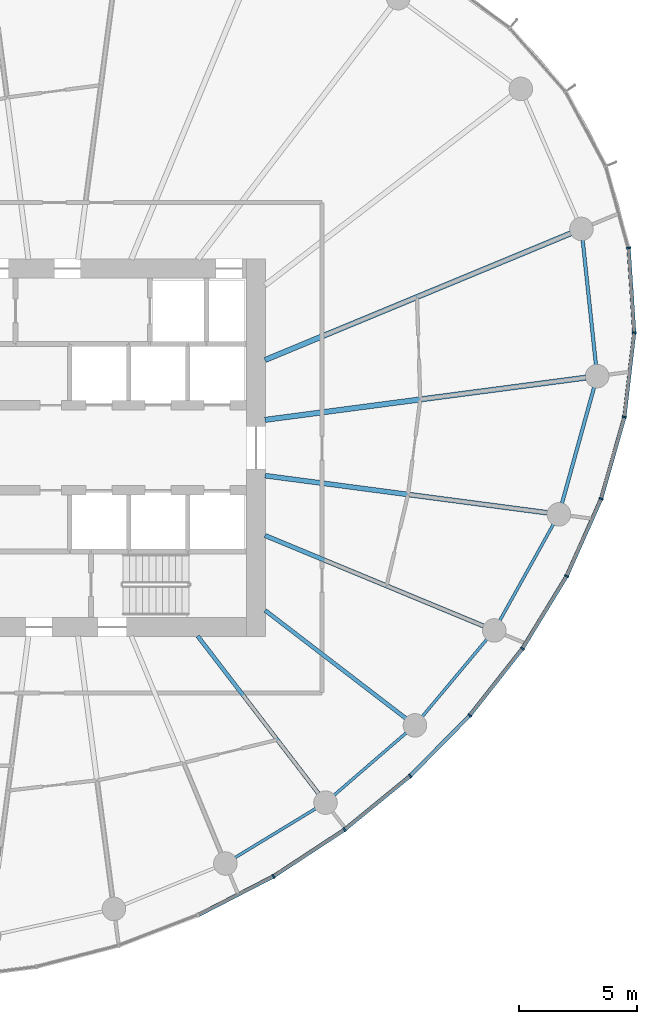
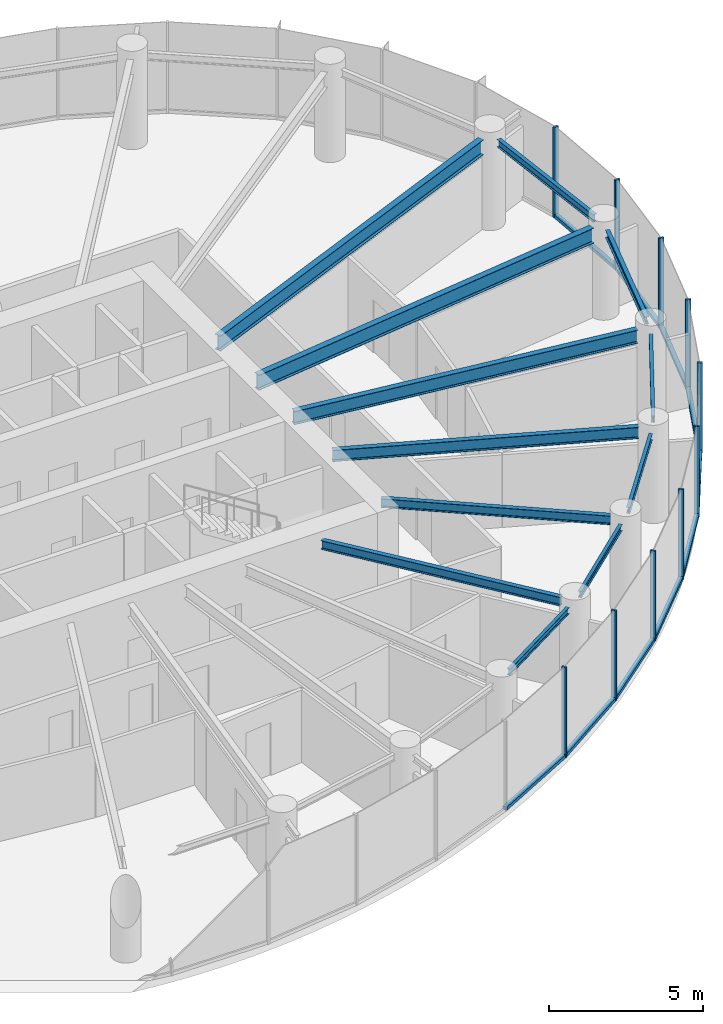
# One storey, part 4 of 14: 20 members, 12 beams, 3 elements without a shape of their own.
"""IFC4 building model written with IfcOpenShell, lengths in metres."""

from ifc_helpers import new_model, si_unit, direction, frame, origin, origin_2d, place, context, subcontext, project, spatial, rectangle, i_section, extrude, source, transform, mapped, material, layer, layer_set, material_profile, profile_set, type_object, element, aggregate, save


model = new_model("IFC4")

# Units and contexts
model_context = context("Model", 3, precision=1e-05, world=origin(), true_north=direction((0.0, 1.0)))
body_context = subcontext(model_context, "Body", "Model", "MODEL_VIEW")
ifc_project = project(units=[si_unit("LENGTHUNIT", "METRE"), si_unit("AREAUNIT", "SQUARE_METRE"), si_unit("VOLUMEUNIT", "CUBIC_METRE"), si_unit("PLANEANGLEUNIT", "RADIAN"), si_unit("MASSUNIT", "GRAM", prefix="KILO")], contexts=[model_context])

# Site, building, storey
site_placement = place(None, origin())
site = spatial("IfcSite", under=ifc_project, at=site_placement, CompositionType="ELEMENT")
building_placement = place(site_placement, origin())
building = spatial("IfcBuilding", under=site, at=building_placement, Name="Spindrift Exchange Tower", CompositionType="ELEMENT")
storey_placement = place(building_placement, frame((0.0, 0.0, 152.60009765625)))
storey = spatial("IfcBuildingStorey", under=building, at=storey_placement, Name="L36", CompositionType="ELEMENT", Elevation=152.60009765625)

# Beams
ifc_material_1 = material(Name="Steel Grade 300", Category="steel")
ifc_material_profile_1 = material_profile(ifc_material_1, i_section(OverallWidth=0.14892578125, OverallDepth=0.298095703125, WebThickness=0.005615234375, FlangeThickness=0.008056640625, FilletRadius=0.012939453125, at=origin_2d()), Name="310UB32.0")
ifc_profile_set_1 = profile_set([ifc_material_profile_1], Name="Steel Grade 300")
beam_type_1 = type_object("IfcBeamType", Name="Edge Beam 310UB32.0 Steel Grade 300", PredefinedType="SPANDREL", material=ifc_profile_set_1)
shared_shape_1 = source(origin(), body_context, "Body", "SweptSolid", [
    extrude(i_section(OverallWidth=0.14892578125, OverallDepth=0.298095703125, WebThickness=0.005615234375, FlangeThickness=0.008056640625, FilletRadius=0.012939453125, at=origin_2d()), origin(), (0.0, 0.0, 1.0), 5.31640625),
])
beam_1_placement = place(storey_placement, frame((75.010986328125, 51.513427734375, 3.430908203125), z_axis=(-0.10598990948, 0.994367205357, 0.0), x_axis=(-0.994367205357, -0.10598990948, 0.0)))
element("IfcBeam", 1, at=beam_1_placement, inside=storey, type_object=beam_type_1, Name="L36 edge beam E01", PredefinedType="SPANDREL", context=body_context, shape_type="MappedRepresentation", body=[
    mapped(shared_shape_1, transform((0.0, 0.0, 0.0), scale=1.0)),
])
ifc_material_profile_2 = material_profile(ifc_material_1, i_section(OverallWidth=0.1240234375, OverallDepth=0.248046875, WebThickness=0.0048828125, FlangeThickness=0.008056640625, FilletRadius=0.011962890625, at=origin_2d()), Name="250UB25.7")
ifc_profile_set_2 = profile_set([ifc_material_profile_2], Name="Steel Grade 300")
beam_type_2 = type_object("IfcBeamType", Name="Edge Beam 250UB25.7 Steel Grade 300", PredefinedType="SPANDREL", material=ifc_profile_set_2)
shared_shape_2 = source(origin(), body_context, "Body", "SweptSolid", [
    extrude(i_section(OverallWidth=0.1240234375, OverallDepth=0.248046875, WebThickness=0.0048828125, FlangeThickness=0.008056640625, FilletRadius=0.011962890625, at=origin_2d()), origin(), (0.0, 0.0, 1.0), 4.00634765625),
])
beam_2_placement = place(storey_placement, frame((59.7109375, 30.623779296875, 3.455810546875), z_axis=(0.854331495603, 0.519728482596, 0.0), x_axis=(-0.519728482596, 0.854331495603, 0.0)))
element("IfcBeam", 2, at=beam_2_placement, inside=storey, type_object=beam_type_2, Name="L36 edge beam E20", PredefinedType="SPANDREL", context=body_context, shape_type="MappedRepresentation", body=[
    mapped(shared_shape_2, transform((0.0, 0.0, 0.0), scale=1.0)),
])
shared_shape_3 = source(origin(), body_context, "Body", "SweptSolid", [
    extrude(i_section(OverallWidth=0.1240234375, OverallDepth=0.248046875, WebThickness=0.0048828125, FlangeThickness=0.008056640625, FilletRadius=0.011962890625, at=origin_2d()), origin(), (0.0, 0.0, 1.0), 4.052001953125),
])
beam_3_placement = place(storey_placement, frame((63.906982421875, 33.269287109375, 3.455810546875), z_axis=(0.756715968535, 0.65374379, 0.0), x_axis=(-0.65374379, 0.756715968535, 0.0)))
element("IfcBeam", 3, at=beam_3_placement, inside=storey, type_object=beam_type_2, Name="L36 edge beam E21", PredefinedType="SPANDREL", context=body_context, shape_type="MappedRepresentation", body=[
    mapped(shared_shape_3, transform((0.0, 0.0, 0.0), scale=1.0)),
])
shared_shape_4 = source(origin(), body_context, "Body", "SweptSolid", [
    extrude(i_section(OverallWidth=0.1240234375, OverallDepth=0.248046875, WebThickness=0.0048828125, FlangeThickness=0.008056640625, FilletRadius=0.011962890625, at=origin_2d()), origin(), (0.0, 0.0, 1.0), 4.282958984375),
])
beam_4_placement = place(storey_placement, frame((67.644287109375, 36.600341796875, 3.455810546875), z_axis=(0.641400288548, 0.767206406289, 0.0), x_axis=(-0.767206406289, 0.641400288548, 0.0)))
element("IfcBeam", 4, at=beam_4_placement, inside=storey, type_object=beam_type_2, Name="L36 edge beam E22", PredefinedType="SPANDREL", context=body_context, shape_type="MappedRepresentation", body=[
    mapped(shared_shape_4, transform((0.0, 0.0, 0.0), scale=1.0)),
])
shared_shape_5 = source(origin(), body_context, "Body", "SweptSolid", [
    extrude(i_section(OverallWidth=0.1240234375, OverallDepth=0.248046875, WebThickness=0.0048828125, FlangeThickness=0.008056640625, FilletRadius=0.011962890625, at=origin_2d()), origin(), (0.0, 0.0, 1.0), 4.6748046875),
])
beam_5_placement = place(storey_placement, frame((70.932861328125, 40.673828125, 3.455810546875), z_axis=(0.486587145143, 0.873632045075, 0.0), x_axis=(-0.873632045075, 0.486587145143, 0.0)))
element("IfcBeam", 5, at=beam_5_placement, inside=storey, type_object=beam_type_2, Name="L36 edge beam E23", PredefinedType="SPANDREL", context=body_context, shape_type="MappedRepresentation", body=[
    mapped(shared_shape_5, transform((0.0, 0.0, 0.0), scale=1.0)),
])
shared_shape_6 = source(origin(), body_context, "Body", "SweptSolid", [
    extrude(i_section(OverallWidth=0.14892578125, OverallDepth=0.298095703125, WebThickness=0.005615234375, FlangeThickness=0.008056640625, FilletRadius=0.012939453125, at=origin_2d()), origin(), (0.0, 0.0, 1.0), 5.118896484375),
])
beam_6_placement = place(storey_placement, frame((73.569091796875, 45.639892578125, 3.430908203125), z_axis=(0.266654866605, 0.963792084485, 0.0), x_axis=(-0.963792084485, 0.266654866605, 0.0)))
element("IfcBeam", 6, at=beam_6_placement, inside=storey, type_object=beam_type_1, Name="L36 edge beam E24", PredefinedType="SPANDREL", context=body_context, shape_type="MappedRepresentation", body=[
    mapped(shared_shape_6, transform((0.0, 0.0, 0.0), scale=1.0)),
])
ifc_material_profile_3 = material_profile(ifc_material_1, i_section(OverallWidth=0.22802734375, OverallDepth=0.60205078125, WebThickness=0.010498046875, FlangeThickness=0.014892578125, FilletRadius=0.013916015625, at=origin_2d()), Name="610UB101")
ifc_profile_set_3 = profile_set([ifc_material_profile_3], Name="Steel Grade 300")
beam_type_3 = type_object("IfcBeamType", Name="Floor Beam 610UB101 Steel Grade 300", PredefinedType="BEAM", material=ifc_profile_set_3)
shared_shape_7 = source(origin(), body_context, "Body", "SweptSolid", [
    extrude(i_section(OverallWidth=0.22802734375, OverallDepth=0.60205078125, WebThickness=0.010498046875, FlangeThickness=0.014892578125, FilletRadius=0.013916015625, at=origin_2d()), origin(), (0.0, 0.0, 1.0), 13.723388671875),
])
beam_7_placement = place(storey_placement, frame((60.980224609375, 49.182373046875, 3.27880859375), z_axis=(0.991447148915, 0.13050881544, 0.0), x_axis=(-0.13050881544, 0.991447148915, 0.0)))
element("IfcBeam", 7, at=beam_7_placement, inside=storey, type_object=beam_type_3, Name="L36 radial beam R01A", PredefinedType="BEAM", context=body_context, shape_type="MappedRepresentation", body=[
    mapped(shared_shape_7, transform((0.0, 0.0, 0.0), scale=1.0)),
])
shared_shape_8 = source(origin(), body_context, "Body", "SweptSolid", [
    extrude(i_section(OverallWidth=0.22802734375, OverallDepth=0.60205078125, WebThickness=0.010498046875, FlangeThickness=0.014892578125, FilletRadius=0.013916015625, at=origin_2d()), origin(), (0.0, 0.0, 1.0), 14.04052734375),
])
beam_8_placement = place(storey_placement, frame((60.9814453125, 51.72021484375, 3.27880859375), z_axis=(0.923879501748, 0.382683506634, 0.0), x_axis=(-0.382683506634, 0.923879501748, 0.0)))
element("IfcBeam", 8, at=beam_8_placement, inside=storey, type_object=beam_type_3, Name="L36 radial beam R02A", PredefinedType="BEAM", context=body_context, shape_type="MappedRepresentation", body=[
    mapped(shared_shape_8, transform((0.0, 0.0, 0.0), scale=1.0)),
])
ifc_material_profile_4 = material_profile(ifc_material_1, i_section(OverallWidth=0.1708984375, OverallDepth=0.35205078125, WebThickness=0.0068359375, FlangeThickness=0.009765625, FilletRadius=0.013916015625, at=origin_2d()), Name="360UB44.7")
ifc_profile_set_4 = profile_set([ifc_material_profile_4], Name="Steel Grade 300")
beam_type_4 = type_object("IfcBeamType", Name="Floor Beam 360UB44.7 Steel Grade 300", PredefinedType="BEAM", material=ifc_profile_set_4)
shared_shape_9 = source(origin(), body_context, "Body", "SweptSolid", [
    extrude(i_section(OverallWidth=0.1708984375, OverallDepth=0.35205078125, WebThickness=0.0068359375, FlangeThickness=0.009765625, FilletRadius=0.013916015625, at=origin_2d()), origin(), (0.0, 0.0, 1.0), 8.419189453125),
])
beam_9_placement = place(storey_placement, frame((58.12646484375, 40.015869140625, 3.40380859375), z_axis=(0.608755970582, -0.79335752866, 0.0), x_axis=(0.79335752866, 0.608755970582, 0.0)))
element("IfcBeam", 9, at=beam_9_placement, inside=storey, type_object=beam_type_4, Name="L36 radial beam R21A", PredefinedType="BEAM", context=body_context, shape_type="MappedRepresentation", body=[
    mapped(shared_shape_9, transform((0.0, 0.0, 0.0), scale=1.0)),
])
shared_shape_10 = source(origin(), body_context, "Body", "SweptSolid", [
    extrude(i_section(OverallWidth=0.1708984375, OverallDepth=0.35205078125, WebThickness=0.0068359375, FlangeThickness=0.009765625, FilletRadius=0.013916015625, at=origin_2d()), origin(), (0.0, 0.0, 1.0), 7.52685546875),
])
beam_10_placement = place(storey_placement, frame((60.984130859375, 41.106201171875, 3.40380859375), z_axis=(0.793354136078, -0.608760391918, 0.0), x_axis=(0.608760391918, 0.793354136078, 0.0)))
element("IfcBeam", 10, at=beam_10_placement, inside=storey, type_object=beam_type_4, Name="L36 radial beam R22A", PredefinedType="BEAM", context=body_context, shape_type="MappedRepresentation", body=[
    mapped(shared_shape_10, transform((0.0, 0.0, 0.0), scale=1.0)),
])
ifc_material_profile_5 = material_profile(ifc_material_1, i_section(OverallWidth=0.18994140625, OverallDepth=0.4541015625, WebThickness=0.008544921875, FlangeThickness=0.0126953125, FilletRadius=0.013916015625, at=origin_2d()), Name="460UB67.1")
ifc_profile_set_5 = profile_set([ifc_material_profile_5], Name="Steel Grade 300")
beam_type_5 = type_object("IfcBeamType", Name="Floor Beam 460UB67.1 Steel Grade 300", PredefinedType="BEAM", material=ifc_profile_set_5)
shared_shape_11 = source(origin(), body_context, "Body", "SweptSolid", [
    extrude(i_section(OverallWidth=0.18994140625, OverallDepth=0.4541015625, WebThickness=0.008544921875, FlangeThickness=0.0126953125, FilletRadius=0.013916015625, at=origin_2d()), origin(), (0.0, 0.0, 1.0), 10.03857421875),
])
beam_11_placement = place(storey_placement, frame((60.9814453125, 44.27978515625, 3.352783203125), z_axis=(0.923880777638, -0.382680426349, 0.0), x_axis=(0.382680426349, 0.923880777638, 0.0)))
element("IfcBeam", 11, at=beam_11_placement, inside=storey, type_object=beam_type_5, Name="L36 radial beam R23A", PredefinedType="BEAM", context=body_context, shape_type="MappedRepresentation", body=[
    mapped(shared_shape_11, transform((0.0, 0.0, 0.0), scale=1.0)),
])
ifc_material_profile_6 = material_profile(ifc_material_1, i_section(OverallWidth=0.208984375, OverallDepth=0.528076171875, WebThickness=0.009521484375, FlangeThickness=0.01318359375, FilletRadius=0.013916015625, at=origin_2d()), Name="530UB82.0")
ifc_profile_set_6 = profile_set([ifc_material_profile_6], Name="Steel Grade 300")
beam_type_6 = type_object("IfcBeamType", Name="Floor Beam 530UB82.0 Steel Grade 300", PredefinedType="BEAM", material=ifc_profile_set_6)
shared_shape_12 = source(origin(), body_context, "Body", "SweptSolid", [
    extrude(i_section(OverallWidth=0.208984375, OverallDepth=0.528076171875, WebThickness=0.009521484375, FlangeThickness=0.01318359375, FilletRadius=0.013916015625, at=origin_2d()), origin(), (0.0, 0.0, 1.0), 12.088134765625),
])
beam_12_placement = place(storey_placement, frame((60.980224609375, 46.817626953125, 3.31591796875), z_axis=(0.991447007302, -0.130509891244, 0.0), x_axis=(0.130509891244, 0.991447007302, 0.0)))
element("IfcBeam", 12, at=beam_12_placement, inside=storey, type_object=beam_type_6, Name="L36 radial beam R24A", PredefinedType="BEAM", context=body_context, shape_type="MappedRepresentation", body=[
    mapped(shared_shape_12, transform((0.0, 0.0, 0.0), scale=1.0)),
])

# Curtain wall, members
ifc_material_2 = material(Name="Fritted laminated glass with bronze frame", Category="glass")
ifc_layer = layer(ifc_material_2, 0.179931640625)
ifc_layer_set = layer_set([ifc_layer], Name="ZONE 3 BRONZE FRITTED WALL")
curtain_wall_type = type_object("IfcCurtainWallType", Name="ZONE 3 BRONZE FRITTED WALL", PredefinedType="NOTDEFINED", material=ifc_layer_set)
curtain_wall_1_placement = place(storey_placement, origin())
curtain_wall_1 = element("IfcCurtainWall", 13, at=curtain_wall_1_placement, inside=storey, type_object=curtain_wall_type, Name="L36 Zone 3 Bronze Fritted Wall run 6", PredefinedType="NOTDEFINED")
ifc_material_3 = material(Name="Bronze anodised aluminium", Category="aluminium")
ifc_material_profile_7 = material_profile(ifc_material_3, rectangle(XDim=0.070068359375, YDim=0.179931640625, at=origin_2d()), Name="ZONE 3 BRONZE FRITTED WALL MULLION 70X180")
ifc_profile_set_7 = profile_set([ifc_material_profile_7], Name="Bronze anodised aluminium")
member_type_1 = type_object("IfcMemberType", Name="ZONE 3 BRONZE FRITTED WALL MULLION 70X180", PredefinedType="MULLION", material=ifc_profile_set_7)
shared_shape_13 = source(origin(), body_context, "Body", "SweptSolid", [
    extrude(rectangle(XDim=0.070068359375, YDim=0.179931640625, at=origin_2d()), origin(), (0.0, 0.0, 1.0), 3.579833984375),
])
member_1_placement = place(storey_placement, frame((61.338134765625, 29.831298828125, 0.0), z_axis=(0.0, 0.0, 1.0), x_axis=(0.863679835397, 0.504040813752, 0.0)))
member_1 = element("IfcMember", 14, at=member_1_placement, type_object=member_type_1, Name="L36 mullion CW-3.31", PredefinedType="MULLION", context=body_context, shape_type="MappedRepresentation", body=[
    mapped(shared_shape_13, transform((0.0, 0.0, 0.0), scale=1.0)),
])
member_2_placement = place(storey_placement, frame((64.34814453125, 31.80810546875, 0.0), z_axis=(0.0, 0.0, 1.0), x_axis=(0.805919112959, 0.592025661072, 0.0)))
member_2 = element("IfcMember", 15, at=member_2_placement, type_object=member_type_1, Name="L36 mullion CW-3.32", PredefinedType="MULLION", context=body_context, shape_type="MappedRepresentation", body=[
    mapped(shared_shape_13, transform((0.0, 0.0, 0.0), scale=1.0)),
])
member_3_placement = place(storey_placement, frame((67.13427734375, 34.089111328125, 0.0), z_axis=(0.0, 0.0, 1.0), x_axis=(0.738822560476, 0.673900010485, 0.0)))
member_3 = element("IfcMember", 16, at=member_3_placement, type_object=member_type_1, Name="L36 mullion CW-3.33", PredefinedType="MULLION", context=body_context, shape_type="MappedRepresentation", body=[
    mapped(shared_shape_13, transform((0.0, 0.0, 0.0), scale=1.0)),
])
member_4_placement = place(storey_placement, frame((69.661376953125, 36.654296875, 0.0), z_axis=(0.0, 0.0, 1.0), x_axis=(0.661147114843, 0.750256284569, 0.0)))
member_4 = element("IfcMember", 17, at=member_4_placement, type_object=member_type_1, Name="L36 mullion CW-3.34", PredefinedType="MULLION", context=body_context, shape_type="MappedRepresentation", body=[
    mapped(shared_shape_13, transform((0.0, 0.0, 0.0), scale=1.0)),
])
member_5_placement = place(storey_placement, frame((71.88818359375, 39.483642578125, 0.0), z_axis=(0.0, 0.0, 1.0), x_axis=(0.570900389137, 0.821019333319, 0.0)))
member_5 = element("IfcMember", 18, at=member_5_placement, type_object=member_type_1, Name="L36 mullion CW-3.35", PredefinedType="MULLION", context=body_context, shape_type="MappedRepresentation", body=[
    mapped(shared_shape_13, transform((0.0, 0.0, 0.0), scale=1.0)),
])
member_6_placement = place(storey_placement, frame((73.76513671875, 42.555908203125, 0.0), z_axis=(0.0, 0.0, 1.0), x_axis=(0.465381897719, 0.885109987106, 0.0)))
member_6 = element("IfcMember", 19, at=member_6_placement, type_object=member_type_1, Name="L36 mullion CW-3.36", PredefinedType="MULLION", context=body_context, shape_type="MappedRepresentation", body=[
    mapped(shared_shape_13, transform((0.0, 0.0, 0.0), scale=1.0)),
])

curtain_wall_2_placement = place(storey_placement, origin())
curtain_wall_2 = element("IfcCurtainWall", 20, at=curtain_wall_2_placement, inside=storey, type_object=curtain_wall_type, Name="L36 Zone 3 Bronze Fritted Wall run 7", PredefinedType="NOTDEFINED")
member_7_placement = place(storey_placement, frame((75.23193359375, 45.843505859375, 0.0), z_axis=(0.0, 0.0, 1.0), x_axis=(0.341273617216, 0.939963998349, 0.0)))
member_7 = element("IfcMember", 21, at=member_7_placement, type_object=member_type_1, Name="L36 mullion CW-3.37", PredefinedType="MULLION", context=body_context, shape_type="MappedRepresentation", body=[
    mapped(shared_shape_13, transform((0.0, 0.0, 0.0), scale=1.0)),
])
member_8_placement = place(storey_placement, frame((76.2158203125, 49.305419921875, 0.0), z_axis=(0.0, 0.0, 1.0), x_axis=(0.195110549619, 0.980781256666, 0.0)))
member_8 = element("IfcMember", 22, at=member_8_placement, type_object=member_type_1, Name="L36 mullion CW-3.38", PredefinedType="MULLION", context=body_context, shape_type="MappedRepresentation", body=[
    mapped(shared_shape_13, transform((0.0, 0.0, 0.0), scale=1.0)),
])
member_9_placement = place(storey_placement, frame((76.6318359375, 52.87939453125, 0.0), z_axis=(0.0, 0.0, 1.0), x_axis=(0.024729315489, 0.999694183716, 0.0)))
member_9 = element("IfcMember", 23, at=member_9_placement, type_object=member_type_1, Name="L36 mullion CW-3.39", PredefinedType="MULLION", context=body_context, shape_type="MappedRepresentation", body=[
    mapped(shared_shape_13, transform((0.0, 0.0, 0.0), scale=1.0)),
])
member_10_placement = place(storey_placement, frame((76.39306640625, 56.468505859375, 0.0), z_axis=(0.0, 0.0, 1.0), x_axis=(-0.167846132091, 0.985813205401, 0.0)))
member_10 = element("IfcMember", 24, at=member_10_placement, type_object=member_type_1, Name="L36 mullion CW-3.40", PredefinedType="MULLION", context=body_context, shape_type="MappedRepresentation", body=[
    mapped(shared_shape_13, transform((0.0, 0.0, 0.0), scale=1.0)),
])

# Curtain wall, member
curtain_wall_3_placement = place(storey_placement, origin())
curtain_wall_3 = element("IfcCurtainWall", 25, at=curtain_wall_3_placement, inside=storey, type_object=curtain_wall_type, Name="L36 Zone 3 Bronze Fritted Wall run 5", PredefinedType="NOTDEFINED")
ifc_material_profile_8 = material_profile(ifc_material_3, rectangle(XDim=0.159912109375, YDim=0.1298828125, at=origin_2d()), Name="ZONE 3 BRONZE FRITTED WALL TRANSOM 160X130")
ifc_profile_set_8 = profile_set([ifc_material_profile_8], Name="Bronze anodised aluminium")
member_type_2 = type_object("IfcMemberType", Name="ZONE 3 BRONZE FRITTED WALL TRANSOM 160X130", PredefinedType="USERDEFINED", material=ifc_profile_set_8)
shared_shape_14 = source(origin(), body_context, "Body", "SweptSolid", [
    extrude(rectangle(XDim=0.159912109375, YDim=0.1298828125, at=origin_2d()), origin(), (0.0, 0.0, 1.0), 3.53076171875),
])
member_11_placement = place(storey_placement, frame((58.16796875, 28.19921875, 0.06494140625), z_axis=(0.889082014663, 0.457747934132, 0.0), x_axis=(-0.457747934132, 0.889082014663, 0.0)))
member_11 = element("IfcMember", 26, at=member_11_placement, type_object=member_type_2, Name="L36 transom CW-3.30", ObjectType="TRANSOM", PredefinedType="USERDEFINED", context=body_context, shape_type="MappedRepresentation", body=[
    mapped(shared_shape_14, transform((0.0, 0.0, 0.0), scale=1.0)),
])
aggregate(curtain_wall_3, [member_11])

# Member
member_12_placement = place(storey_placement, frame((67.158935546875, 34.114013671875, 0.06494140625), z_axis=(0.701762496127, 0.712410976214, 0.0), x_axis=(-0.712410976214, 0.701762496127, 0.0)))
member_12 = element("IfcMember", 27, at=member_12_placement, type_object=member_type_2, Name="L36 transom CW-3.33", ObjectType="TRANSOM", PredefinedType="USERDEFINED", context=body_context, shape_type="MappedRepresentation", body=[
    mapped(shared_shape_14, transform((0.0, 0.0, 0.0), scale=1.0)),
])

member_13_placement = place(storey_placement, frame((69.682861328125, 36.681884765625, 0.06494140625), z_axis=(0.61846876923, 0.785809379867, 0.0), x_axis=(-0.785809379867, 0.61846876923, 0.0)))
member_13 = element("IfcMember", 28, at=member_13_placement, type_object=member_type_2, Name="L36 transom CW-3.34", ObjectType="TRANSOM", PredefinedType="USERDEFINED", context=body_context, shape_type="MappedRepresentation", body=[
    mapped(shared_shape_14, transform((0.0, 0.0, 0.0), scale=1.0)),
])

shared_shape_15 = source(origin(), body_context, "Body", "SweptSolid", [
    extrude(rectangle(XDim=0.159912109375, YDim=0.1298828125, at=origin_2d()), origin(), (0.0, 0.0, 1.0), 3.531005859375),
])
member_14_placement = place(storey_placement, frame((61.367431640625, 29.8505859375, 0.06494140625), z_axis=(0.835870455003, 0.548926755089, 0.0), x_axis=(-0.548926755089, 0.835870455003, 0.0)))
member_14 = element("IfcMember", 29, at=member_14_placement, type_object=member_type_2, Name="L36 transom CW-3.31", ObjectType="TRANSOM", PredefinedType="USERDEFINED", context=body_context, shape_type="MappedRepresentation", body=[
    mapped(shared_shape_15, transform((0.0, 0.0, 0.0), scale=1.0)),
])

member_15_placement = place(storey_placement, frame((64.375244140625, 31.830078125, 0.06494140625), z_axis=(0.773701546777, 0.633550247821, 0.0), x_axis=(-0.633550247821, 0.773701546777, 0.0)))
member_15 = element("IfcMember", 30, at=member_15_placement, type_object=member_type_2, Name="L36 transom CW-3.32", ObjectType="TRANSOM", PredefinedType="USERDEFINED", context=body_context, shape_type="MappedRepresentation", body=[
    mapped(shared_shape_15, transform((0.0, 0.0, 0.0), scale=1.0)),
])

shared_shape_16 = source(origin(), body_context, "Body", "SweptSolid", [
    extrude(rectangle(XDim=0.159912109375, YDim=0.1298828125, at=origin_2d()), origin(), (0.0, 0.0, 1.0), 3.5302734375),
])
member_16_placement = place(storey_placement, frame((71.90625, 39.513671875, 0.06494140625), z_axis=(0.521374478664, 0.853327986766, 0.0), x_axis=(-0.853327986766, 0.521374478664, 0.0)))
member_16 = element("IfcMember", 31, at=member_16_placement, type_object=member_type_2, Name="L36 transom CW-3.35", ObjectType="TRANSOM", PredefinedType="USERDEFINED", context=body_context, shape_type="MappedRepresentation", body=[
    mapped(shared_shape_16, transform((0.0, 0.0, 0.0), scale=1.0)),
])

shared_shape_17 = source(origin(), body_context, "Body", "SweptSolid", [
    extrude(rectangle(XDim=0.159912109375, YDim=0.1298828125, at=origin_2d()), origin(), (0.0, 0.0, 1.0), 3.530029296875),
])
member_17_placement = place(storey_placement, frame((73.779296875, 42.587890625, 0.06494140625), z_axis=(0.407498426049, 0.913205909293, 0.0), x_axis=(-0.913205909293, 0.407498426049, 0.0)))
member_17 = element("IfcMember", 32, at=member_17_placement, type_object=member_type_2, Name="L36 transom CW-3.36", ObjectType="TRANSOM", PredefinedType="USERDEFINED", context=body_context, shape_type="MappedRepresentation", body=[
    mapped(shared_shape_17, transform((0.0, 0.0, 0.0), scale=1.0)),
])

aggregate(curtain_wall_1, [member_1, member_14, member_2, member_15, member_3, member_12, member_4, member_13, member_5, member_16, member_6, member_17])

shared_shape_18 = source(origin(), body_context, "Body", "SweptSolid", [
    extrude(rectangle(XDim=0.159912109375, YDim=0.1298828125, at=origin_2d()), origin(), (0.0, 0.0, 1.0), 3.527099609375),
])
member_18_placement = place(storey_placement, frame((76.62939453125, 52.914306640625, 0.06494140625), z_axis=(-0.066381184108, 0.997794336723, 0.0), x_axis=(-0.997794336723, -0.066381184108, 0.0)))
member_18 = element("IfcMember", 33, at=member_18_placement, type_object=member_type_2, Name="L36 transom CW-3.39", ObjectType="TRANSOM", PredefinedType="USERDEFINED", context=body_context, shape_type="MappedRepresentation", body=[
    mapped(shared_shape_18, transform((0.0, 0.0, 0.0), scale=1.0)),
])

shared_shape_19 = source(origin(), body_context, "Body", "SweptSolid", [
    extrude(rectangle(XDim=0.159912109375, YDim=0.1298828125, at=origin_2d()), origin(), (0.0, 0.0, 1.0), 3.528076171875),
])
member_19_placement = place(storey_placement, frame((76.2197265625, 49.34033203125, 0.06494140625), z_axis=(0.115632646709, 0.993292047192, 0.0), x_axis=(-0.993292047192, 0.115632646709, 0.0)))
member_19 = element("IfcMember", 34, at=member_19_placement, type_object=member_type_2, Name="L36 transom CW-3.38", ObjectType="TRANSOM", PredefinedType="USERDEFINED", context=body_context, shape_type="MappedRepresentation", body=[
    mapped(shared_shape_19, transform((0.0, 0.0, 0.0), scale=1.0)),
])

shared_shape_20 = source(origin(), body_context, "Body", "SweptSolid", [
    extrude(rectangle(XDim=0.159912109375, YDim=0.1298828125, at=origin_2d()), origin(), (0.0, 0.0, 1.0), 3.529052734375),
])
member_20_placement = place(storey_placement, frame((75.241455078125, 45.876953125, 0.06494140625), z_axis=(0.273322916593, 0.96192233744, 0.0), x_axis=(-0.96192233744, 0.273322916593, 0.0)))
member_20 = element("IfcMember", 35, at=member_20_placement, type_object=member_type_2, Name="L36 transom CW-3.37", ObjectType="TRANSOM", PredefinedType="USERDEFINED", context=body_context, shape_type="MappedRepresentation", body=[
    mapped(shared_shape_20, transform((0.0, 0.0, 0.0), scale=1.0)),
])

aggregate(curtain_wall_2, [member_7, member_20, member_8, member_19, member_9, member_18, member_10])

save(model, "model.ifc")
